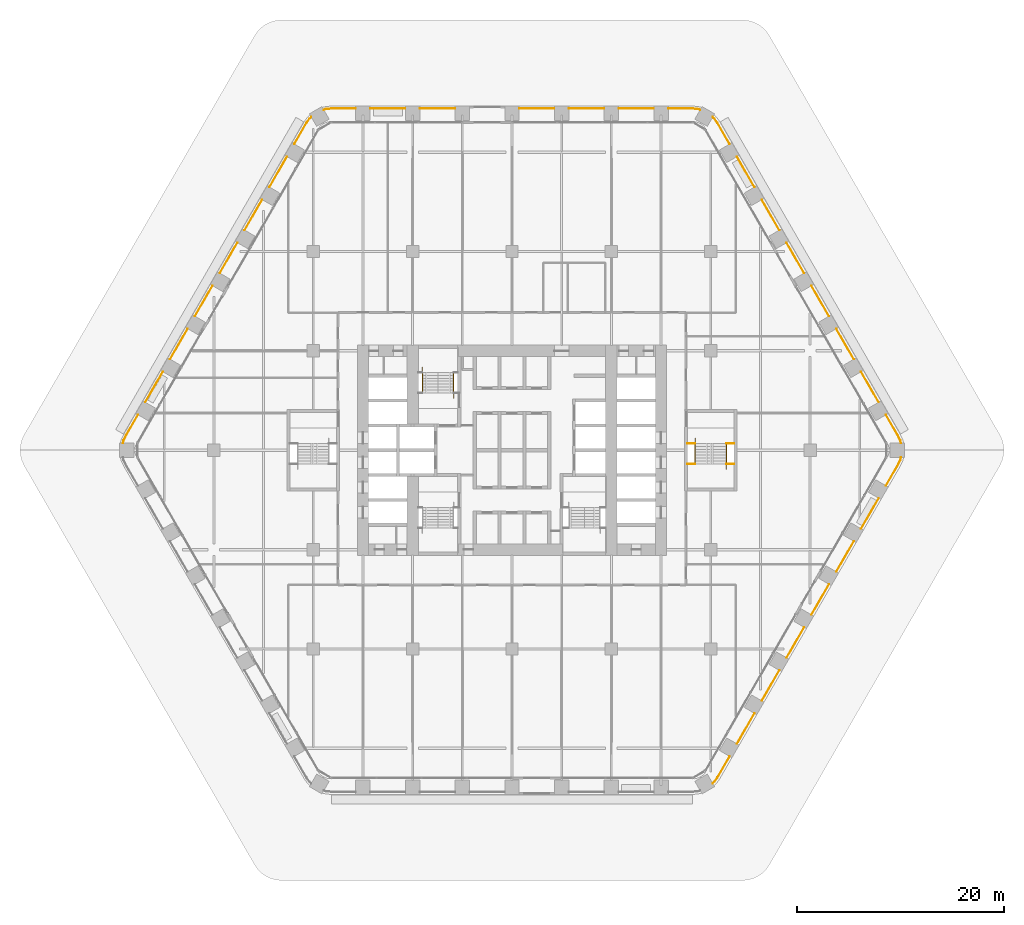
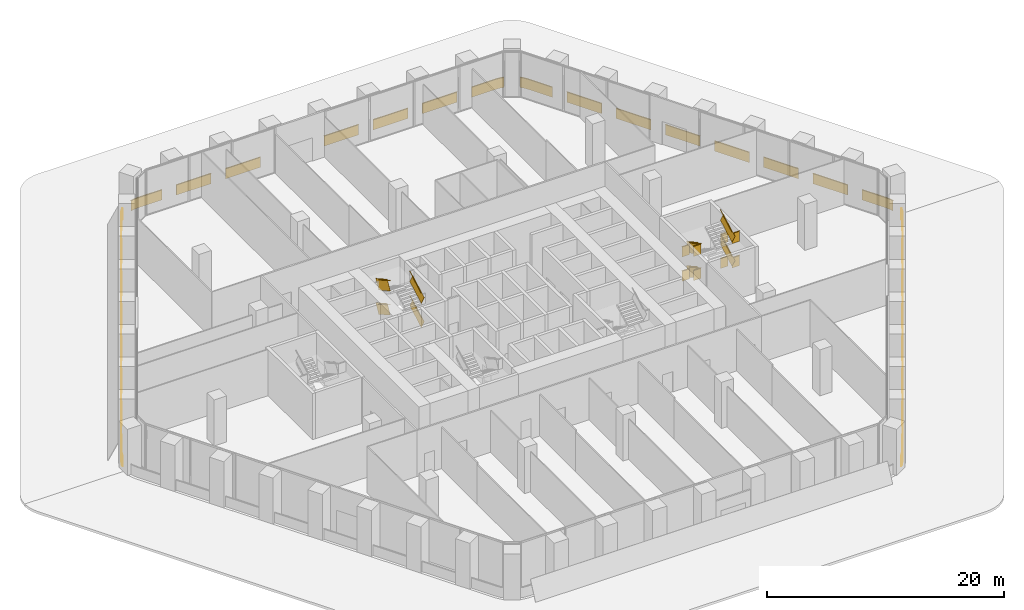
# One storey, part 29 of 29: 7 railings.
"""IFC4 building model written with IfcOpenShell, lengths in metres."""

from ifc_helpers import new_model, si_unit, direction, frame, frame_2d, origin, origin_2d, place, context, subcontext, project, spatial, rectangle, extrude, material, type_object, element, save


model = new_model("IFC4")

# Units and contexts
model_context = context("Model", 3, precision=1e-05, world=origin(), true_north=direction((0.0, 1.0)))
body_context = subcontext(model_context, "Body", "Model", "MODEL_VIEW")
ifc_project = project(units=[si_unit("LENGTHUNIT", "METRE"), si_unit("AREAUNIT", "SQUARE_METRE"), si_unit("VOLUMEUNIT", "CUBIC_METRE"), si_unit("PLANEANGLEUNIT", "RADIAN"), si_unit("MASSUNIT", "GRAM", prefix="KILO")], contexts=[model_context])

# Site, building, storey
site_placement = place(None, origin())
site = spatial("IfcSite", under=ifc_project, at=site_placement, CompositionType="ELEMENT")
building_placement = place(site_placement, origin())
building = spatial("IfcBuilding", under=site, at=building_placement, Name="Kolab Exchange Tower", CompositionType="ELEMENT")
storey_placement = place(building_placement, frame((0.0, 0.0, 17.39990234375)))
storey = spatial("IfcBuildingStorey", under=building, at=storey_placement, Name="L03", CompositionType="ELEMENT", Elevation=17.39990234375)

# Railings
ifc_material_1 = material(Name="Stainless steel 316", Category="steel")
railing_type_1 = type_object("IfcRailingType", Name="GUARD 1100", PredefinedType="GUARDRAIL", material=ifc_material_1)
railing_1_placement = place(storey_placement, frame((-5.639892578125, 5.550048828125, 0.15625)))
element("IfcRailing", 1, at=railing_1_placement, inside=storey, type_object=railing_type_1, Name="Handrail guard ST1", PredefinedType="GUARDRAIL", context=body_context, shape_type="SweptSolid", body=[
    extrude(rectangle(XDim=0.05, YDim=0.05, at=origin_2d()), frame((0.0, 0.0, 1.0751953125), z_axis=(0.0, 0.873232148454, 0.487304437602), x_axis=(-1.0, 0.0, 0.0)), (0.0, 0.0, 1.0), 2.244384765625),
    extrude(rectangle(XDim=0.012, YDim=1.05009765625, at=frame_2d((0.0, 0.525146484375))), frame((0.0, 0.0, 0.0), z_axis=(0.0, 0.873232148454, 0.487304437602), x_axis=(-1.0, 0.0, 0.0)), (0.0, 0.0, 1.0), 2.244384765625),
    extrude(rectangle(XDim=0.05, YDim=0.05, at=origin_2d()), frame((-3.02001953125, 1.9599609375, 2.3251953125), z_axis=(0.0, -0.873232148454, 0.487304437602), x_axis=(1.0, 0.0, 0.0)), (0.0, 0.0, 1.0), 2.244384765625),
    extrude(rectangle(XDim=0.012, YDim=1.05009765625, at=frame_2d((0.0, 0.525146484375))), frame((-3.02001953125, 1.9599609375, 1.25), z_axis=(0.0, -0.873232148454, 0.487304437602), x_axis=(1.0, 0.0, 0.0)), (0.0, 0.0, 1.0), 2.244384765625),
    extrude(rectangle(XDim=0.05, YDim=0.05, at=origin_2d()), frame((0.0, 0.0, 3.5751953125), z_axis=(0.0, 0.873232148454, 0.487304437602), x_axis=(-1.0, 0.0, 0.0)), (0.0, 0.0, 1.0), 2.244384765625),
    extrude(rectangle(XDim=0.012, YDim=1.05009765625, at=frame_2d((0.0, 0.525146484375))), frame((0.0, 0.0, 2.5), z_axis=(0.0, 0.873232148454, 0.487304437602), x_axis=(-1.0, 0.0, 0.0)), (0.0, 0.0, 1.0), 2.244384765625),
    extrude(rectangle(XDim=0.05, YDim=0.05, at=origin_2d()), frame((-3.02001953125, 1.9599609375, 4.8251953125), z_axis=(0.0, -0.873232148454, 0.487304437602), x_axis=(1.0, 0.0, 0.0)), (0.0, 0.0, 1.0), 2.244384765625),
    extrude(rectangle(XDim=0.012, YDim=1.05009765625, at=frame_2d((0.0, 0.525146484375))), frame((-3.02001953125, 1.9599609375, 3.75), z_axis=(0.0, -0.873232148454, 0.487304437602), x_axis=(1.0, 0.0, 0.0)), (0.0, 0.0, 1.0), 2.244384765625),
])
railing_2_placement = place(storey_placement, frame((16.949951171875, 0.64990234375, 0.0)))
element("IfcRailing", 2, at=railing_2_placement, inside=storey, type_object=railing_type_1, Name="Guard ST4", PredefinedType="GUARDRAIL", context=body_context, shape_type="SweptSolid", body=[
    extrude(rectangle(XDim=0.05, YDim=0.05, at=origin_2d()), frame((0.0, 0.0, 1.0751953125), z_axis=(1.0, 0.0, 0.0), x_axis=(0.0, 1.0, 0.0)), (0.0, 0.0, 1.0), 0.739990234375),
    extrude(rectangle(XDim=0.012, YDim=1.05009765625, at=frame_2d((0.0, 0.525146484375))), frame((0.0, 0.0, 0.0), z_axis=(1.0, 0.0, 0.0), x_axis=(0.0, 1.0, 0.0)), (0.0, 0.0, 1.0), 0.739990234375),
    extrude(rectangle(XDim=0.05, YDim=0.05, at=origin_2d()), frame((3.760009765625, 0.0, 1.0751953125), z_axis=(1.0, 0.0, 0.0), x_axis=(0.0, 1.0, 0.0)), (0.0, 0.0, 1.0), 0.739990234375),
    extrude(rectangle(XDim=0.012, YDim=1.05009765625, at=frame_2d((0.0, 0.525146484375))), frame((3.760009765625, 0.0, 0.0), z_axis=(1.0, 0.0, 0.0), x_axis=(0.0, 1.0, 0.0)), (0.0, 0.0, 1.0), 0.739990234375),
    extrude(rectangle(XDim=0.05, YDim=0.05, at=origin_2d()), frame((0.0, -1.9599609375, 2.3251953125), z_axis=(1.0, 0.0, 0.0), x_axis=(0.0, 1.0, 0.0)), (0.0, 0.0, 1.0), 0.739990234375),
    extrude(rectangle(XDim=0.012, YDim=1.05009765625, at=frame_2d((0.0, 0.525146484375))), frame((0.0, -1.9599609375, 1.25), z_axis=(1.0, 0.0, 0.0), x_axis=(0.0, 1.0, 0.0)), (0.0, 0.0, 1.0), 0.739990234375),
    extrude(rectangle(XDim=0.05, YDim=0.05, at=origin_2d()), frame((3.760009765625, -1.9599609375, 2.3251953125), z_axis=(1.0, 0.0, 0.0), x_axis=(0.0, 1.0, 0.0)), (0.0, 0.0, 1.0), 0.739990234375),
    extrude(rectangle(XDim=0.012, YDim=1.05009765625, at=frame_2d((0.0, 0.525146484375))), frame((3.760009765625, -1.9599609375, 1.25), z_axis=(1.0, 0.0, 0.0), x_axis=(0.0, 1.0, 0.0)), (0.0, 0.0, 1.0), 0.739990234375),
    extrude(rectangle(XDim=0.05, YDim=0.05, at=origin_2d()), frame((0.0, 0.0, 3.5751953125), z_axis=(1.0, 0.0, 0.0), x_axis=(0.0, 1.0, 0.0)), (0.0, 0.0, 1.0), 0.739990234375),
    extrude(rectangle(XDim=0.012, YDim=1.05009765625, at=frame_2d((0.0, 0.525146484375))), frame((0.0, 0.0, 2.5), z_axis=(1.0, 0.0, 0.0), x_axis=(0.0, 1.0, 0.0)), (0.0, 0.0, 1.0), 0.739990234375),
    extrude(rectangle(XDim=0.05, YDim=0.05, at=origin_2d()), frame((3.760009765625, 0.0, 3.5751953125), z_axis=(1.0, 0.0, 0.0), x_axis=(0.0, 1.0, 0.0)), (0.0, 0.0, 1.0), 0.739990234375),
    extrude(rectangle(XDim=0.012, YDim=1.05009765625, at=frame_2d((0.0, 0.525146484375))), frame((3.760009765625, 0.0, 2.5), z_axis=(1.0, 0.0, 0.0), x_axis=(0.0, 1.0, 0.0)), (0.0, 0.0, 1.0), 0.739990234375),
    extrude(rectangle(XDim=0.05, YDim=0.05, at=origin_2d()), frame((0.0, -1.9599609375, 4.8251953125), z_axis=(1.0, 0.0, 0.0), x_axis=(0.0, 1.0, 0.0)), (0.0, 0.0, 1.0), 0.739990234375),
    extrude(rectangle(XDim=0.012, YDim=1.05009765625, at=frame_2d((0.0, 0.525146484375))), frame((0.0, -1.9599609375, 3.75), z_axis=(1.0, 0.0, 0.0), x_axis=(0.0, 1.0, 0.0)), (0.0, 0.0, 1.0), 0.739990234375),
    extrude(rectangle(XDim=0.05, YDim=0.05, at=origin_2d()), frame((3.760009765625, -1.9599609375, 4.8251953125), z_axis=(1.0, 0.0, 0.0), x_axis=(0.0, 1.0, 0.0)), (0.0, 0.0, 1.0), 0.739990234375),
    extrude(rectangle(XDim=0.012, YDim=1.05009765625, at=frame_2d((0.0, 0.525146484375))), frame((3.760009765625, -1.9599609375, 3.75), z_axis=(1.0, 0.0, 0.0), x_axis=(0.0, 1.0, 0.0)), (0.0, 0.0, 1.0), 0.739990234375),
])
railing_3_placement = place(storey_placement, frame((17.68994140625, 0.64990234375, 0.15625)))
element("IfcRailing", 3, at=railing_3_placement, inside=storey, type_object=railing_type_1, Name="Handrail guard ST4", PredefinedType="GUARDRAIL", context=body_context, shape_type="SweptSolid", body=[
    extrude(rectangle(XDim=0.05, YDim=0.05, at=origin_2d()), frame((0.0, 0.0, 1.0751953125), z_axis=(0.0, -0.873232148454, 0.487304437602), x_axis=(1.0, 0.0, 0.0)), (0.0, 0.0, 1.0), 2.244384765625),
    extrude(rectangle(XDim=0.012, YDim=1.05009765625, at=frame_2d((0.0, 0.525146484375))), frame((0.0, 0.0, 0.0), z_axis=(0.0, -0.873232148454, 0.487304437602), x_axis=(1.0, 0.0, 0.0)), (0.0, 0.0, 1.0), 2.244384765625),
    extrude(rectangle(XDim=0.05, YDim=0.05, at=origin_2d()), frame((3.02001953125, -1.9599609375, 2.3251953125), z_axis=(0.0, 0.873232148454, 0.487304437602), x_axis=(-1.0, 0.0, 0.0)), (0.0, 0.0, 1.0), 2.244384765625),
    extrude(rectangle(XDim=0.012, YDim=1.05009765625, at=frame_2d((0.0, 0.525146484375))), frame((3.02001953125, -1.9599609375, 1.25), z_axis=(0.0, 0.873232148454, 0.487304437602), x_axis=(-1.0, 0.0, 0.0)), (0.0, 0.0, 1.0), 2.244384765625),
    extrude(rectangle(XDim=0.05, YDim=0.05, at=origin_2d()), frame((0.0, 0.0, 3.5751953125), z_axis=(0.0, -0.873232148454, 0.487304437602), x_axis=(1.0, 0.0, 0.0)), (0.0, 0.0, 1.0), 2.244384765625),
    extrude(rectangle(XDim=0.012, YDim=1.05009765625, at=frame_2d((0.0, 0.525146484375))), frame((0.0, 0.0, 2.5), z_axis=(0.0, -0.873232148454, 0.487304437602), x_axis=(1.0, 0.0, 0.0)), (0.0, 0.0, 1.0), 2.244384765625),
    extrude(rectangle(XDim=0.05, YDim=0.05, at=origin_2d()), frame((3.02001953125, -1.9599609375, 4.8251953125), z_axis=(0.0, 0.873232148454, 0.487304437602), x_axis=(-1.0, 0.0, 0.0)), (0.0, 0.0, 1.0), 2.244384765625),
    extrude(rectangle(XDim=0.012, YDim=1.05009765625, at=frame_2d((0.0, 0.525146484375))), frame((3.02001953125, -1.9599609375, 3.75), z_axis=(0.0, 0.873232148454, 0.487304437602), x_axis=(-1.0, 0.0, 0.0)), (0.0, 0.0, 1.0), 2.244384765625),
])
ifc_material_2 = material(Name="Steel S235", Category="steel")
railing_type_2 = type_object("IfcRailingType", Name="GUARD 1100 GLASS BALUSTRADE AND STEEL TOP RAIL", PredefinedType="GUARDRAIL", material=ifc_material_2)
railing_4_placement = place(storey_placement, frame((18.1953125, 32.896728515625, 0.0)))
element("IfcRailing", 4, at=railing_4_placement, inside=storey, type_object=railing_type_2, Name="Guard", PredefinedType="GUARDRAIL", context=body_context, shape_type="SweptSolid", body=[
    extrude(rectangle(XDim=0.05, YDim=0.05, at=origin_2d()), frame((0.0, 0.0, 1.0751953125), z_axis=(-0.965952265455, 0.258720352624, 0.0), x_axis=(-0.258720352624, -0.965952265455, 0.0)), (0.0, 0.0, 1.0), 0.258544921875),
    extrude(rectangle(XDim=0.012, YDim=1.05009765625, at=frame_2d((0.0, 0.525146484375))), frame((0.0, 0.0, 0.0), z_axis=(-0.965952265455, 0.258720352624, 0.0), x_axis=(-0.258720352624, -0.965952265455, 0.0)), (0.0, 0.0, 1.0), 0.258544921875),
    extrude(rectangle(XDim=0.05, YDim=0.05, at=origin_2d()), frame((-0.249755859375, 0.06689453125, 1.0751953125), z_axis=(-0.996200348447, 0.087091134757, 0.0), x_axis=(-0.087091134757, -0.996200348447, 0.0)), (0.0, 0.0, 1.0), 0.479248046875),
    extrude(rectangle(XDim=0.012, YDim=1.05009765625, at=frame_2d((0.0, 0.525146484375))), frame((-0.249755859375, 0.06689453125, 0.0), z_axis=(-0.996200348447, 0.087091134757, 0.0), x_axis=(-0.087091134757, -0.996200348447, 0.0)), (0.0, 0.0, 1.0), 0.479248046875),
    extrude(rectangle(XDim=0.05, YDim=0.05, at=origin_2d()), frame((-0.727294921875, 0.108642578125, 1.0751953125), z_axis=(-1.0, 0.0, 0.0), x_axis=(0.0, -1.0, 0.0)), (0.0, 0.0, 1.0), 2.367919921875),
    extrude(rectangle(XDim=0.012, YDim=1.05009765625, at=frame_2d((0.0, 0.525146484375))), frame((-0.727294921875, 0.108642578125, 0.0), z_axis=(-1.0, 0.0, 0.0), x_axis=(0.0, -1.0, 0.0)), (0.0, 0.0, 1.0), 2.367919921875),
    extrude(rectangle(XDim=0.05, YDim=0.05, at=origin_2d()), frame((-4.495361328125, 0.108642578125, 1.0751953125), z_axis=(-1.0, 0.0, 0.0), x_axis=(0.0, -1.0, 0.0)), (0.0, 0.0, 1.0), 3.39990234375),
    extrude(rectangle(XDim=0.012, YDim=1.05009765625, at=frame_2d((0.0, 0.525146484375))), frame((-4.495361328125, 0.108642578125, 0.0), z_axis=(-1.0, 0.0, 0.0), x_axis=(0.0, -1.0, 0.0)), (0.0, 0.0, 1.0), 3.39990234375),
    extrude(rectangle(XDim=0.05, YDim=0.05, at=origin_2d()), frame((-9.29541015625, 0.108642578125, 1.0751953125), z_axis=(-1.0, 0.0, 0.0), x_axis=(0.0, -1.0, 0.0)), (0.0, 0.0, 1.0), 3.39990234375),
    extrude(rectangle(XDim=0.012, YDim=1.05009765625, at=frame_2d((0.0, 0.525146484375))), frame((-9.29541015625, 0.108642578125, 0.0), z_axis=(-1.0, 0.0, 0.0), x_axis=(0.0, -1.0, 0.0)), (0.0, 0.0, 1.0), 3.39990234375),
    extrude(rectangle(XDim=0.05, YDim=0.05, at=origin_2d()), frame((-14.09521484375, 0.108642578125, 1.0751953125), z_axis=(-1.0, 0.0, 0.0), x_axis=(0.0, -1.0, 0.0)), (0.0, 0.0, 1.0), 3.400146484375),
    extrude(rectangle(XDim=0.012, YDim=1.05009765625, at=frame_2d((0.0, 0.525146484375))), frame((-14.09521484375, 0.108642578125, 0.0), z_axis=(-1.0, 0.0, 0.0), x_axis=(0.0, -1.0, 0.0)), (0.0, 0.0, 1.0), 3.400146484375),
    extrude(rectangle(XDim=0.05, YDim=0.05, at=origin_2d()), frame((-23.6953125, 0.108642578125, 1.0751953125), z_axis=(-1.0, 0.0, 0.0), x_axis=(0.0, -1.0, 0.0)), (0.0, 0.0, 1.0), 3.39990234375),
    extrude(rectangle(XDim=0.012, YDim=1.05009765625, at=frame_2d((0.0, 0.525146484375))), frame((-23.6953125, 0.108642578125, 0.0), z_axis=(-1.0, 0.0, 0.0), x_axis=(0.0, -1.0, 0.0)), (0.0, 0.0, 1.0), 3.39990234375),
    extrude(rectangle(XDim=0.05, YDim=0.05, at=origin_2d()), frame((-28.495361328125, 0.108642578125, 1.0751953125), z_axis=(-1.0, 0.0, 0.0), x_axis=(0.0, -1.0, 0.0)), (0.0, 0.0, 1.0), 3.39990234375),
    extrude(rectangle(XDim=0.012, YDim=1.05009765625, at=frame_2d((0.0, 0.525146484375))), frame((-28.495361328125, 0.108642578125, 0.0), z_axis=(-1.0, 0.0, 0.0), x_axis=(0.0, -1.0, 0.0)), (0.0, 0.0, 1.0), 3.39990234375),
    extrude(rectangle(XDim=0.05, YDim=0.05, at=origin_2d()), frame((-33.29541015625, 0.108642578125, 1.0751953125), z_axis=(-1.0, 0.0, 0.0), x_axis=(0.0, -1.0, 0.0)), (0.0, 0.0, 1.0), 2.367919921875),
    extrude(rectangle(XDim=0.012, YDim=1.05009765625, at=frame_2d((0.0, 0.525146484375))), frame((-33.29541015625, 0.108642578125, 0.0), z_axis=(-1.0, 0.0, 0.0), x_axis=(0.0, -1.0, 0.0)), (0.0, 0.0, 1.0), 2.367919921875),
    extrude(rectangle(XDim=0.05, YDim=0.05, at=origin_2d()), frame((-35.663330078125, 0.108642578125, 1.0751953125), z_axis=(-0.996200348447, -0.087091134757, 0.0), x_axis=(0.087091134757, -0.996200348447, 0.0)), (0.0, 0.0, 1.0), 0.479248046875),
    extrude(rectangle(XDim=0.012, YDim=1.05009765625, at=frame_2d((0.0, 0.525146484375))), frame((-35.663330078125, 0.108642578125, 0.0), z_axis=(-0.996200348447, -0.087091134757, 0.0), x_axis=(0.087091134757, -0.996200348447, 0.0)), (0.0, 0.0, 1.0), 0.479248046875),
    extrude(rectangle(XDim=0.05, YDim=0.05, at=origin_2d()), frame((-36.140869140625, 0.06689453125, 1.0751953125), z_axis=(-0.965952265455, -0.258720352624, 0.0), x_axis=(0.258720352624, -0.965952265455, 0.0)), (0.0, 0.0, 1.0), 0.258544921875),
    extrude(rectangle(XDim=0.012, YDim=1.05009765625, at=frame_2d((0.0, 0.525146484375))), frame((-36.140869140625, 0.06689453125, 0.0), z_axis=(-0.965952265455, -0.258720352624, 0.0), x_axis=(0.258720352624, -0.965952265455, 0.0)), (0.0, 0.0, 1.0), 0.258544921875),
])
railing_5_placement = place(storey_placement, frame((37.5869140625, 0.690673828125, 0.0)))
element("IfcRailing", 5, at=railing_5_placement, inside=storey, type_object=railing_type_2, Name="Guard", PredefinedType="GUARDRAIL", context=body_context, shape_type="SweptSolid", body=[
    extrude(rectangle(XDim=0.05, YDim=0.05, at=origin_2d()), frame((0.0, 0.0, 1.0751953125), z_axis=(-0.258484584798, 0.966015382601, 0.0), x_axis=(-0.966015382601, -0.258484584798, 0.0)), (0.0, 0.0, 1.0), 0.2587890625),
    extrude(rectangle(XDim=0.012, YDim=1.05009765625, at=frame_2d((0.0, 0.525146484375))), frame((0.0, 0.0, 0.0), z_axis=(-0.258484584798, 0.966015382601, 0.0), x_axis=(-0.966015382601, -0.258484584798, 0.0)), (0.0, 0.0, 1.0), 0.2587890625),
    extrude(rectangle(XDim=0.05, YDim=0.05, at=origin_2d()), frame((-0.06689453125, 0.25, 1.0751953125), z_axis=(-0.422801802984, 0.906222177721, 0.0), x_axis=(-0.906222177721, -0.422801802984, 0.0)), (0.0, 0.0, 1.0), 0.479248046875),
    extrude(rectangle(XDim=0.012, YDim=1.05009765625, at=frame_2d((0.0, 0.525146484375))), frame((-0.06689453125, 0.25, 0.0), z_axis=(-0.422801802984, 0.906222177721, 0.0), x_axis=(-0.906222177721, -0.422801802984, 0.0)), (0.0, 0.0, 1.0), 0.479248046875),
    extrude(rectangle(XDim=0.05, YDim=0.05, at=origin_2d()), frame((-0.26953125, 0.684326171875, 1.0751953125), z_axis=(-0.499942602326, 0.866058539811, 0.0), x_axis=(-0.866058539811, -0.499942602326, 0.0)), (0.0, 0.0, 1.0), 2.367919921875),
    extrude(rectangle(XDim=0.012, YDim=1.05009765625, at=frame_2d((0.0, 0.525146484375))), frame((-0.26953125, 0.684326171875, 0.0), z_axis=(-0.499942602326, 0.866058539811, 0.0), x_axis=(-0.866058539811, -0.499942602326, 0.0)), (0.0, 0.0, 1.0), 2.367919921875),
    extrude(rectangle(XDim=0.05, YDim=0.05, at=origin_2d()), frame((-2.1533203125, 3.947509765625, 1.0751953125), z_axis=(-0.500062241894, 0.865989465428, 0.0), x_axis=(-0.865989465428, -0.500062241894, 0.0)), (0.0, 0.0, 1.0), 3.39990234375),
    extrude(rectangle(XDim=0.012, YDim=1.05009765625, at=frame_2d((0.0, 0.525146484375))), frame((-2.1533203125, 3.947509765625, 0.0), z_axis=(-0.500062241894, 0.865989465428, 0.0), x_axis=(-0.865989465428, -0.500062241894, 0.0)), (0.0, 0.0, 1.0), 3.39990234375),
    extrude(rectangle(XDim=0.05, YDim=0.05, at=origin_2d()), frame((-4.553466796875, 8.1044921875, 1.0751953125), z_axis=(-0.500008388397, 0.866020560687, 0.0), x_axis=(-0.866020560687, -0.500008388397, 0.0)), (0.0, 0.0, 1.0), 3.39990234375),
    extrude(rectangle(XDim=0.012, YDim=1.05009765625, at=frame_2d((0.0, 0.525146484375))), frame((-4.553466796875, 8.1044921875, 0.0), z_axis=(-0.500008388397, 0.866020560687, 0.0), x_axis=(-0.866020560687, -0.500008388397, 0.0)), (0.0, 0.0, 1.0), 3.39990234375),
    extrude(rectangle(XDim=0.05, YDim=0.05, at=origin_2d()), frame((-6.953369140625, 12.26123046875, 1.0751953125), z_axis=(-0.499977295307, 0.866038511948, 0.0), x_axis=(-0.866038511948, -0.499977295307, 0.0)), (0.0, 0.0, 1.0), 3.400146484375),
    extrude(rectangle(XDim=0.012, YDim=1.05009765625, at=frame_2d((0.0, 0.525146484375))), frame((-6.953369140625, 12.26123046875, 0.0), z_axis=(-0.499977295307, 0.866038511948, 0.0), x_axis=(-0.866038511948, -0.499977295307, 0.0)), (0.0, 0.0, 1.0), 3.400146484375),
    extrude(rectangle(XDim=0.05, YDim=0.05, at=origin_2d()), frame((-9.353515625, 16.418212890625, 1.0751953125), z_axis=(-0.499977295307, 0.866038511948, 0.0), x_axis=(-0.866038511948, -0.499977295307, 0.0)), (0.0, 0.0, 1.0), 3.400146484375),
    extrude(rectangle(XDim=0.012, YDim=1.05009765625, at=frame_2d((0.0, 0.525146484375))), frame((-9.353515625, 16.418212890625, 0.0), z_axis=(-0.499977295307, 0.866038511948, 0.0), x_axis=(-0.866038511948, -0.499977295307, 0.0)), (0.0, 0.0, 1.0), 3.400146484375),
    extrude(rectangle(XDim=0.05, YDim=0.05, at=origin_2d()), frame((-11.75341796875, 20.5751953125, 1.0751953125), z_axis=(-0.500008388397, 0.866020560687, 0.0), x_axis=(-0.866020560687, -0.500008388397, 0.0)), (0.0, 0.0, 1.0), 3.39990234375),
    extrude(rectangle(XDim=0.012, YDim=1.05009765625, at=frame_2d((0.0, 0.525146484375))), frame((-11.75341796875, 20.5751953125, 0.0), z_axis=(-0.500008388397, 0.866020560687, 0.0), x_axis=(-0.866020560687, -0.500008388397, 0.0)), (0.0, 0.0, 1.0), 3.39990234375),
    extrude(rectangle(XDim=0.05, YDim=0.05, at=origin_2d()), frame((-14.1533203125, 24.732177734375, 1.0751953125), z_axis=(-0.500062241894, 0.865989465428, 0.0), x_axis=(-0.865989465428, -0.500062241894, 0.0)), (0.0, 0.0, 1.0), 3.39990234375),
    extrude(rectangle(XDim=0.012, YDim=1.05009765625, at=frame_2d((0.0, 0.525146484375))), frame((-14.1533203125, 24.732177734375, 0.0), z_axis=(-0.500062241894, 0.865989465428, 0.0), x_axis=(-0.865989465428, -0.500062241894, 0.0)), (0.0, 0.0, 1.0), 3.39990234375),
    extrude(rectangle(XDim=0.05, YDim=0.05, at=origin_2d()), frame((-16.553466796875, 28.888916015625, 1.0751953125), z_axis=(-0.499942602326, 0.866058539811, 0.0), x_axis=(-0.866058539811, -0.499942602326, 0.0)), (0.0, 0.0, 1.0), 2.367919921875),
    extrude(rectangle(XDim=0.012, YDim=1.05009765625, at=frame_2d((0.0, 0.525146484375))), frame((-16.553466796875, 28.888916015625, 0.0), z_axis=(-0.499942602326, 0.866058539811, 0.0), x_axis=(-0.866058539811, -0.499942602326, 0.0)), (0.0, 0.0, 1.0), 2.367919921875),
    extrude(rectangle(XDim=0.05, YDim=0.05, at=origin_2d()), frame((-17.7373046875, 30.939697265625, 1.0751953125), z_axis=(-0.573940749815, 0.818896828485, 0.0), x_axis=(-0.818896828485, -0.573940749815, 0.0)), (0.0, 0.0, 1.0), 0.4794921875),
    extrude(rectangle(XDim=0.012, YDim=1.05009765625, at=frame_2d((0.0, 0.525146484375))), frame((-17.7373046875, 30.939697265625, 0.0), z_axis=(-0.573940749815, 0.818896828485, 0.0), x_axis=(-0.818896828485, -0.573940749815, 0.0)), (0.0, 0.0, 1.0), 0.4794921875),
    extrude(rectangle(XDim=0.05, YDim=0.05, at=origin_2d()), frame((-18.012451171875, 31.332275390625, 1.0751953125), z_axis=(-0.706634904947, 0.707578342737, 0.0), x_axis=(-0.707578342737, -0.706634904947, 0.0)), (0.0, 0.0, 1.0), 0.2587890625),
    extrude(rectangle(XDim=0.012, YDim=1.05009765625, at=frame_2d((0.0, 0.525146484375))), frame((-18.012451171875, 31.332275390625, 0.0), z_axis=(-0.706634904947, 0.707578342737, 0.0), x_axis=(-0.707578342737, -0.706634904947, 0.0)), (0.0, 0.0, 1.0), 0.2587890625),
])
railing_6_placement = place(storey_placement, frame((19.3916015625, -32.2060546875, 0.0)))
element("IfcRailing", 6, at=railing_6_placement, inside=storey, type_object=railing_type_2, Name="Guard", PredefinedType="GUARDRAIL", context=body_context, shape_type="SweptSolid", body=[
    extrude(rectangle(XDim=0.05, YDim=0.05, at=origin_2d()), frame((0.0, 0.0, 1.0751953125), z_axis=(0.706634904947, 0.707578342737, 0.0), x_axis=(-0.707578342737, 0.706634904947, 0.0)), (0.0, 0.0, 1.0), 0.2587890625),
    extrude(rectangle(XDim=0.012, YDim=1.05009765625, at=frame_2d((0.0, 0.525146484375))), frame((0.0, 0.0, 0.0), z_axis=(0.706634904947, 0.707578342737, 0.0), x_axis=(-0.707578342737, 0.706634904947, 0.0)), (0.0, 0.0, 1.0), 0.2587890625),
    extrude(rectangle(XDim=0.05, YDim=0.05, at=origin_2d()), frame((0.182861328125, 0.18310546875, 1.0751953125), z_axis=(0.573940749815, 0.818896828485, 0.0), x_axis=(-0.818896828485, 0.573940749815, 0.0)), (0.0, 0.0, 1.0), 0.4794921875),
    extrude(rectangle(XDim=0.012, YDim=1.05009765625, at=frame_2d((0.0, 0.525146484375))), frame((0.182861328125, 0.18310546875, 0.0), z_axis=(0.573940749815, 0.818896828485, 0.0), x_axis=(-0.818896828485, 0.573940749815, 0.0)), (0.0, 0.0, 1.0), 0.4794921875),
    extrude(rectangle(XDim=0.05, YDim=0.05, at=origin_2d()), frame((0.4580078125, 0.57568359375, 1.0751953125), z_axis=(0.499942602326, 0.866058539811, 0.0), x_axis=(-0.866058539811, 0.499942602326, 0.0)), (0.0, 0.0, 1.0), 2.367919921875),
    extrude(rectangle(XDim=0.012, YDim=1.05009765625, at=frame_2d((0.0, 0.525146484375))), frame((0.4580078125, 0.57568359375, 0.0), z_axis=(0.499942602326, 0.866058539811, 0.0), x_axis=(-0.866058539811, 0.499942602326, 0.0)), (0.0, 0.0, 1.0), 2.367919921875),
    extrude(rectangle(XDim=0.05, YDim=0.05, at=origin_2d()), frame((2.341796875, 3.8388671875, 1.0751953125), z_axis=(0.500062241894, 0.865989465428, 0.0), x_axis=(-0.865989465428, 0.500062241894, 0.0)), (0.0, 0.0, 1.0), 3.39990234375),
    extrude(rectangle(XDim=0.012, YDim=1.05009765625, at=frame_2d((0.0, 0.525146484375))), frame((2.341796875, 3.8388671875, 0.0), z_axis=(0.500062241894, 0.865989465428, 0.0), x_axis=(-0.865989465428, 0.500062241894, 0.0)), (0.0, 0.0, 1.0), 3.39990234375),
    extrude(rectangle(XDim=0.05, YDim=0.05, at=origin_2d()), frame((4.741943359375, 7.995849609375, 1.0751953125), z_axis=(0.500008388397, 0.866020560687, 0.0), x_axis=(-0.866020560687, 0.500008388397, 0.0)), (0.0, 0.0, 1.0), 3.39990234375),
    extrude(rectangle(XDim=0.012, YDim=1.05009765625, at=frame_2d((0.0, 0.525146484375))), frame((4.741943359375, 7.995849609375, 0.0), z_axis=(0.500008388397, 0.866020560687, 0.0), x_axis=(-0.866020560687, 0.500008388397, 0.0)), (0.0, 0.0, 1.0), 3.39990234375),
    extrude(rectangle(XDim=0.05, YDim=0.05, at=origin_2d()), frame((7.141845703125, 12.152587890625, 1.0751953125), z_axis=(0.499977295307, 0.866038511948, 0.0), x_axis=(-0.866038511948, 0.499977295307, 0.0)), (0.0, 0.0, 1.0), 3.400146484375),
    extrude(rectangle(XDim=0.012, YDim=1.05009765625, at=frame_2d((0.0, 0.525146484375))), frame((7.141845703125, 12.152587890625, 0.0), z_axis=(0.499977295307, 0.866038511948, 0.0), x_axis=(-0.866038511948, 0.499977295307, 0.0)), (0.0, 0.0, 1.0), 3.400146484375),
    extrude(rectangle(XDim=0.05, YDim=0.05, at=origin_2d()), frame((9.5419921875, 16.3095703125, 1.0751953125), z_axis=(0.499977295307, 0.866038511948, 0.0), x_axis=(-0.866038511948, 0.499977295307, 0.0)), (0.0, 0.0, 1.0), 3.400146484375),
    extrude(rectangle(XDim=0.012, YDim=1.05009765625, at=frame_2d((0.0, 0.525146484375))), frame((9.5419921875, 16.3095703125, 0.0), z_axis=(0.499977295307, 0.866038511948, 0.0), x_axis=(-0.866038511948, 0.499977295307, 0.0)), (0.0, 0.0, 1.0), 3.400146484375),
    extrude(rectangle(XDim=0.05, YDim=0.05, at=origin_2d()), frame((11.94189453125, 20.466552734375, 1.0751953125), z_axis=(0.500008388397, 0.866020560687, 0.0), x_axis=(-0.866020560687, 0.500008388397, 0.0)), (0.0, 0.0, 1.0), 3.39990234375),
    extrude(rectangle(XDim=0.012, YDim=1.05009765625, at=frame_2d((0.0, 0.525146484375))), frame((11.94189453125, 20.466552734375, 0.0), z_axis=(0.500008388397, 0.866020560687, 0.0), x_axis=(-0.866020560687, 0.500008388397, 0.0)), (0.0, 0.0, 1.0), 3.39990234375),
    extrude(rectangle(XDim=0.05, YDim=0.05, at=origin_2d()), frame((14.341796875, 24.62353515625, 1.0751953125), z_axis=(0.500062241894, 0.865989465428, 0.0), x_axis=(-0.865989465428, 0.500062241894, 0.0)), (0.0, 0.0, 1.0), 3.39990234375),
    extrude(rectangle(XDim=0.012, YDim=1.05009765625, at=frame_2d((0.0, 0.525146484375))), frame((14.341796875, 24.62353515625, 0.0), z_axis=(0.500062241894, 0.865989465428, 0.0), x_axis=(-0.865989465428, 0.500062241894, 0.0)), (0.0, 0.0, 1.0), 3.39990234375),
    extrude(rectangle(XDim=0.05, YDim=0.05, at=origin_2d()), frame((16.741943359375, 28.7802734375, 1.0751953125), z_axis=(0.499942602326, 0.866058539811, 0.0), x_axis=(-0.866058539811, 0.499942602326, 0.0)), (0.0, 0.0, 1.0), 2.367919921875),
    extrude(rectangle(XDim=0.012, YDim=1.05009765625, at=frame_2d((0.0, 0.525146484375))), frame((16.741943359375, 28.7802734375, 0.0), z_axis=(0.499942602326, 0.866058539811, 0.0), x_axis=(-0.866058539811, 0.499942602326, 0.0)), (0.0, 0.0, 1.0), 2.367919921875),
    extrude(rectangle(XDim=0.05, YDim=0.05, at=origin_2d()), frame((17.92578125, 30.8310546875, 1.0751953125), z_axis=(0.422801802984, 0.906222177721, 0.0), x_axis=(-0.906222177721, 0.422801802984, 0.0)), (0.0, 0.0, 1.0), 0.479248046875),
    extrude(rectangle(XDim=0.012, YDim=1.05009765625, at=frame_2d((0.0, 0.525146484375))), frame((17.92578125, 30.8310546875, 0.0), z_axis=(0.422801802984, 0.906222177721, 0.0), x_axis=(-0.906222177721, 0.422801802984, 0.0)), (0.0, 0.0, 1.0), 0.479248046875),
    extrude(rectangle(XDim=0.05, YDim=0.05, at=origin_2d()), frame((18.12841796875, 31.265380859375, 1.0751953125), z_axis=(0.258484584798, 0.966015382601, 0.0), x_axis=(-0.966015382601, 0.258484584798, 0.0)), (0.0, 0.0, 1.0), 0.2587890625),
    extrude(rectangle(XDim=0.012, YDim=1.05009765625, at=frame_2d((0.0, 0.525146484375))), frame((18.12841796875, 31.265380859375, 0.0), z_axis=(0.258484584798, 0.966015382601, 0.0), x_axis=(-0.966015382601, 0.258484584798, 0.0)), (0.0, 0.0, 1.0), 0.2587890625),
])
railing_7_placement = place(storey_placement, frame((-19.3916015625, 32.2060546875, 0.0)))
element("IfcRailing", 7, at=railing_7_placement, inside=storey, type_object=railing_type_2, Name="Guard", PredefinedType="GUARDRAIL", context=body_context, shape_type="SweptSolid", body=[
    extrude(rectangle(XDim=0.05, YDim=0.05, at=origin_2d()), frame((0.0, 0.0, 1.0751953125), z_axis=(-0.706634904947, -0.707578342737, 0.0), x_axis=(0.707578342737, -0.706634904947, 0.0)), (0.0, 0.0, 1.0), 0.2587890625),
    extrude(rectangle(XDim=0.012, YDim=1.05009765625, at=frame_2d((0.0, 0.525146484375))), frame((0.0, 0.0, 0.0), z_axis=(-0.706634904947, -0.707578342737, 0.0), x_axis=(0.707578342737, -0.706634904947, 0.0)), (0.0, 0.0, 1.0), 0.2587890625),
    extrude(rectangle(XDim=0.05, YDim=0.05, at=origin_2d()), frame((-0.182861328125, -0.18310546875, 1.0751953125), z_axis=(-0.573940749815, -0.818896828485, 0.0), x_axis=(0.818896828485, -0.573940749815, 0.0)), (0.0, 0.0, 1.0), 0.4794921875),
    extrude(rectangle(XDim=0.012, YDim=1.05009765625, at=frame_2d((0.0, 0.525146484375))), frame((-0.182861328125, -0.18310546875, 0.0), z_axis=(-0.573940749815, -0.818896828485, 0.0), x_axis=(0.818896828485, -0.573940749815, 0.0)), (0.0, 0.0, 1.0), 0.4794921875),
    extrude(rectangle(XDim=0.05, YDim=0.05, at=origin_2d()), frame((-0.4580078125, -0.57568359375, 1.0751953125), z_axis=(-0.499942602326, -0.866058539811, 0.0), x_axis=(0.866058539811, -0.499942602326, 0.0)), (0.0, 0.0, 1.0), 2.367919921875),
    extrude(rectangle(XDim=0.012, YDim=1.05009765625, at=frame_2d((0.0, 0.525146484375))), frame((-0.4580078125, -0.57568359375, 0.0), z_axis=(-0.499942602326, -0.866058539811, 0.0), x_axis=(0.866058539811, -0.499942602326, 0.0)), (0.0, 0.0, 1.0), 2.367919921875),
    extrude(rectangle(XDim=0.05, YDim=0.05, at=origin_2d()), frame((-2.341796875, -3.8388671875, 1.0751953125), z_axis=(-0.500062241894, -0.865989465428, 0.0), x_axis=(0.865989465428, -0.500062241894, 0.0)), (0.0, 0.0, 1.0), 3.39990234375),
    extrude(rectangle(XDim=0.012, YDim=1.05009765625, at=frame_2d((0.0, 0.525146484375))), frame((-2.341796875, -3.8388671875, 0.0), z_axis=(-0.500062241894, -0.865989465428, 0.0), x_axis=(0.865989465428, -0.500062241894, 0.0)), (0.0, 0.0, 1.0), 3.39990234375),
    extrude(rectangle(XDim=0.05, YDim=0.05, at=origin_2d()), frame((-4.741943359375, -7.995849609375, 1.0751953125), z_axis=(-0.500008388397, -0.866020560687, 0.0), x_axis=(0.866020560687, -0.500008388397, 0.0)), (0.0, 0.0, 1.0), 3.39990234375),
    extrude(rectangle(XDim=0.012, YDim=1.05009765625, at=frame_2d((0.0, 0.525146484375))), frame((-4.741943359375, -7.995849609375, 0.0), z_axis=(-0.500008388397, -0.866020560687, 0.0), x_axis=(0.866020560687, -0.500008388397, 0.0)), (0.0, 0.0, 1.0), 3.39990234375),
    extrude(rectangle(XDim=0.05, YDim=0.05, at=origin_2d()), frame((-7.141845703125, -12.152587890625, 1.0751953125), z_axis=(-0.499977295307, -0.866038511948, 0.0), x_axis=(0.866038511948, -0.499977295307, 0.0)), (0.0, 0.0, 1.0), 3.400146484375),
    extrude(rectangle(XDim=0.012, YDim=1.05009765625, at=frame_2d((0.0, 0.525146484375))), frame((-7.141845703125, -12.152587890625, 0.0), z_axis=(-0.499977295307, -0.866038511948, 0.0), x_axis=(0.866038511948, -0.499977295307, 0.0)), (0.0, 0.0, 1.0), 3.400146484375),
    extrude(rectangle(XDim=0.05, YDim=0.05, at=origin_2d()), frame((-9.5419921875, -16.3095703125, 1.0751953125), z_axis=(-0.499977295307, -0.866038511948, 0.0), x_axis=(0.866038511948, -0.499977295307, 0.0)), (0.0, 0.0, 1.0), 3.400146484375),
    extrude(rectangle(XDim=0.012, YDim=1.05009765625, at=frame_2d((0.0, 0.525146484375))), frame((-9.5419921875, -16.3095703125, 0.0), z_axis=(-0.499977295307, -0.866038511948, 0.0), x_axis=(0.866038511948, -0.499977295307, 0.0)), (0.0, 0.0, 1.0), 3.400146484375),
    extrude(rectangle(XDim=0.05, YDim=0.05, at=origin_2d()), frame((-11.94189453125, -20.466552734375, 1.0751953125), z_axis=(-0.500008388397, -0.866020560687, 0.0), x_axis=(0.866020560687, -0.500008388397, 0.0)), (0.0, 0.0, 1.0), 3.39990234375),
    extrude(rectangle(XDim=0.012, YDim=1.05009765625, at=frame_2d((0.0, 0.525146484375))), frame((-11.94189453125, -20.466552734375, 0.0), z_axis=(-0.500008388397, -0.866020560687, 0.0), x_axis=(0.866020560687, -0.500008388397, 0.0)), (0.0, 0.0, 1.0), 3.39990234375),
    extrude(rectangle(XDim=0.05, YDim=0.05, at=origin_2d()), frame((-14.341796875, -24.62353515625, 1.0751953125), z_axis=(-0.500062241894, -0.865989465428, 0.0), x_axis=(0.865989465428, -0.500062241894, 0.0)), (0.0, 0.0, 1.0), 3.39990234375),
    extrude(rectangle(XDim=0.012, YDim=1.05009765625, at=frame_2d((0.0, 0.525146484375))), frame((-14.341796875, -24.62353515625, 0.0), z_axis=(-0.500062241894, -0.865989465428, 0.0), x_axis=(0.865989465428, -0.500062241894, 0.0)), (0.0, 0.0, 1.0), 3.39990234375),
    extrude(rectangle(XDim=0.05, YDim=0.05, at=origin_2d()), frame((-16.741943359375, -28.7802734375, 1.0751953125), z_axis=(-0.499942602326, -0.866058539811, 0.0), x_axis=(0.866058539811, -0.499942602326, 0.0)), (0.0, 0.0, 1.0), 2.367919921875),
    extrude(rectangle(XDim=0.012, YDim=1.05009765625, at=frame_2d((0.0, 0.525146484375))), frame((-16.741943359375, -28.7802734375, 0.0), z_axis=(-0.499942602326, -0.866058539811, 0.0), x_axis=(0.866058539811, -0.499942602326, 0.0)), (0.0, 0.0, 1.0), 2.367919921875),
    extrude(rectangle(XDim=0.05, YDim=0.05, at=origin_2d()), frame((-17.92578125, -30.8310546875, 1.0751953125), z_axis=(-0.422801802984, -0.906222177721, 0.0), x_axis=(0.906222177721, -0.422801802984, 0.0)), (0.0, 0.0, 1.0), 0.479248046875),
    extrude(rectangle(XDim=0.012, YDim=1.05009765625, at=frame_2d((0.0, 0.525146484375))), frame((-17.92578125, -30.8310546875, 0.0), z_axis=(-0.422801802984, -0.906222177721, 0.0), x_axis=(0.906222177721, -0.422801802984, 0.0)), (0.0, 0.0, 1.0), 0.479248046875),
    extrude(rectangle(XDim=0.05, YDim=0.05, at=origin_2d()), frame((-18.12841796875, -31.265380859375, 1.0751953125), z_axis=(-0.258484584798, -0.966015382601, 0.0), x_axis=(0.966015382601, -0.258484584798, 0.0)), (0.0, 0.0, 1.0), 0.2587890625),
    extrude(rectangle(XDim=0.012, YDim=1.05009765625, at=frame_2d((0.0, 0.525146484375))), frame((-18.12841796875, -31.265380859375, 0.0), z_axis=(-0.258484584798, -0.966015382601, 0.0), x_axis=(0.966015382601, -0.258484584798, 0.0)), (0.0, 0.0, 1.0), 0.2587890625),
])

save(model, "model.ifc")
